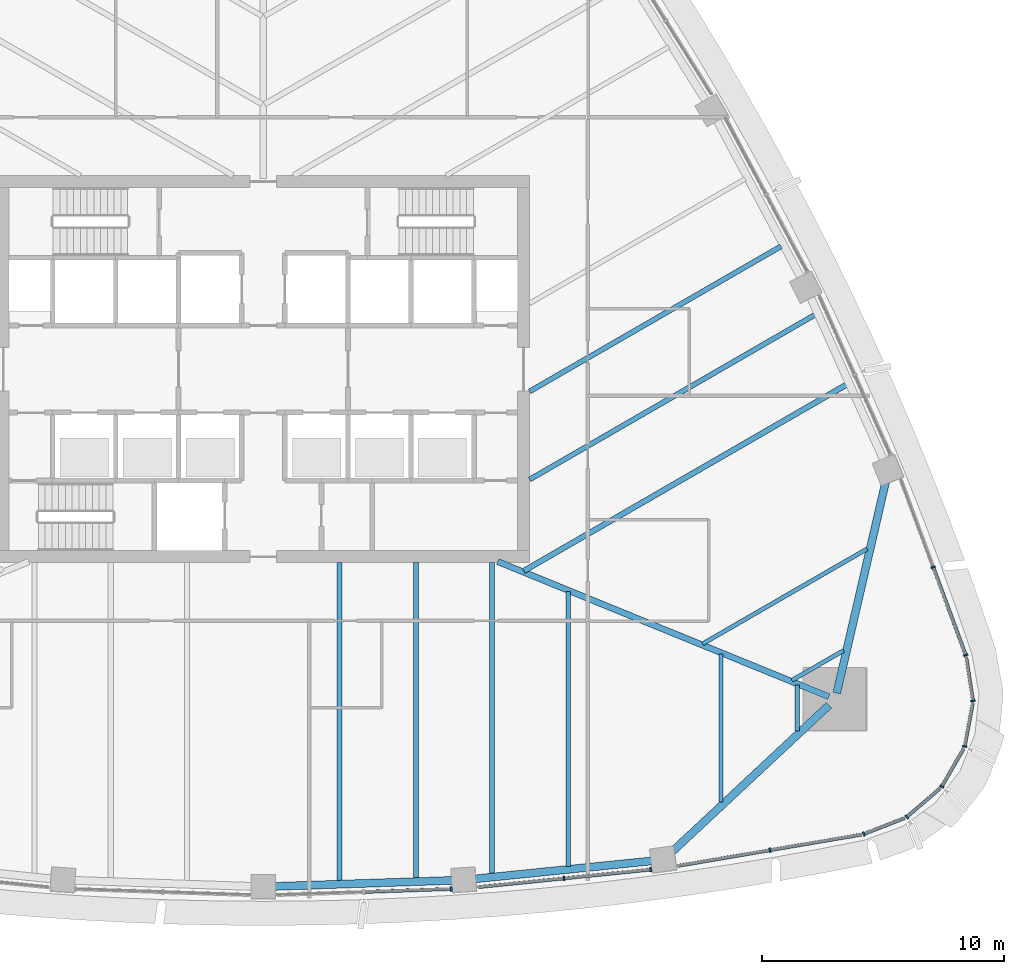
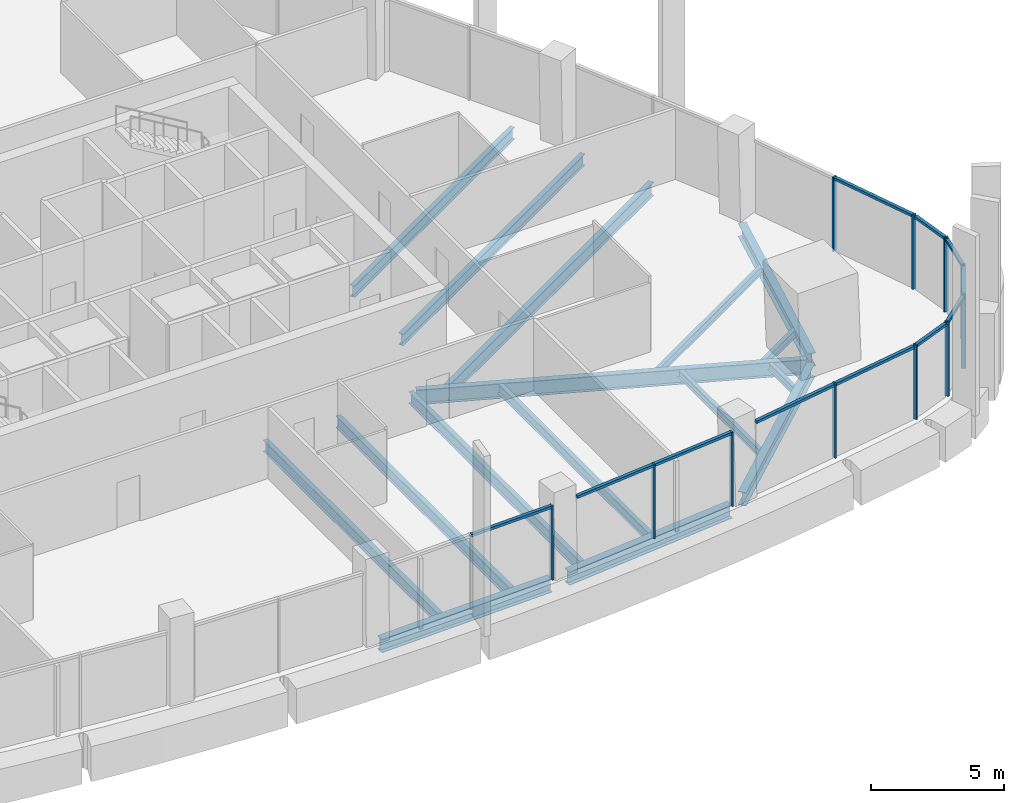
# One storey, part 4 of 19: 22 members, 16 beams, 9 elements without a shape of their own.
"""IFC4 building model written with IfcOpenShell, lengths in metres."""

from ifc_helpers import new_model, si_unit, direction, frame, origin, origin_2d, place, context, subcontext, project, spatial, rectangle, i_section, extrude, material, layer, layer_set, material_profile, profile_set, type_object, element, aggregate, save


model = new_model("IFC4")

# Units and contexts
model_context = context("Model", 3, precision=1e-05, world=origin(), true_north=direction((0.0, 1.0)))
body_context = subcontext(model_context, "Body", "Model", "MODEL_VIEW")
ifc_project = project(units=[si_unit("LENGTHUNIT", "METRE"), si_unit("AREAUNIT", "SQUARE_METRE"), si_unit("VOLUMEUNIT", "CUBIC_METRE"), si_unit("PLANEANGLEUNIT", "RADIAN"), si_unit("MASSUNIT", "GRAM", prefix="KILO")], contexts=[model_context])

# Site, building, storey
site_placement = place(None, origin())
site = spatial("IfcSite", under=ifc_project, at=site_placement, CompositionType="ELEMENT")
building_placement = place(site_placement, origin())
building = spatial("IfcBuilding", under=site, at=building_placement, Name="Sierra Prisma Convention Tower", CompositionType="ELEMENT")
storey_placement = place(building_placement, frame((0.0, 0.0, 177.800048828125)))
storey = spatial("IfcBuildingStorey", under=building, at=storey_placement, Name="L39", CompositionType="ELEMENT", Elevation=177.800048828125)

# Curtain wall, member
ifc_material_1 = material(Name="Aluminium and glass curtain wall", Category="aluminium")
ifc_layer = layer(ifc_material_1, 0.179931640625)
ifc_layer_set = layer_set([ifc_layer], Name="CW-1 Plain shaft curtain wall")
curtain_wall_type = type_object("IfcCurtainWallType", Name="CW-1 Plain shaft curtain wall", PredefinedType="NOTDEFINED", material=ifc_layer_set)
curtain_wall_1_placement = place(storey_placement, origin())
curtain_wall_1 = element("IfcCurtainWall", 1, at=curtain_wall_1_placement, inside=storey, type_object=curtain_wall_type, Name="CW-1 S4 L39", PredefinedType="NOTDEFINED")
ifc_material_2 = material(Name="Aluminium 6063-T6 bronze anodised", Category="aluminium")
ifc_material_profile_1 = material_profile(ifc_material_2, rectangle(XDim=0.179931640625, YDim=0.070068359375, at=origin_2d()), Name="ALU MULLION 70x180")
ifc_profile_set_1 = profile_set([ifc_material_profile_1], Name="Aluminium 6063-T6 bronze anodised")
member_type_1 = type_object("IfcMemberType", Name="CW mullion bronze", PredefinedType="MULLION", material=ifc_profile_set_1)
member_1_placement = place(storey_placement, frame((7.763427734375, -21.479248046875, 0.0), z_axis=(0.0, 0.0, 1.0), x_axis=(-0.033765856682, 0.999429770881, 0.0)))
member_1 = element("IfcMember", 2, at=member_1_placement, type_object=member_type_1, Name="CW-1 mullion S4.3", PredefinedType="MULLION", context=body_context, shape_type="SweptSolid", body=[
    extrude(rectangle(XDim=0.179931640625, YDim=0.070068359375, at=origin_2d()), origin(), (0.0, 0.0, 1.0), 3.39990234375),
])

# Curtain wall, members
curtain_wall_2_placement = place(storey_placement, origin())
curtain_wall_2 = element("IfcCurtainWall", 3, at=curtain_wall_2_placement, inside=storey, type_object=curtain_wall_type, Name="CW-1 S5 L39", PredefinedType="NOTDEFINED")
member_2_placement = place(storey_placement, frame((12.425048828125, -21.04248046875, 0.0), z_axis=(0.0, 0.0, 1.0), x_axis=(-0.101143579749, 0.994871839121, 0.0)))
member_2 = element("IfcMember", 4, at=member_2_placement, type_object=member_type_1, Name="CW-1 mullion S5.2", PredefinedType="MULLION", context=body_context, shape_type="SweptSolid", body=[
    extrude(rectangle(XDim=0.179931640625, YDim=0.070068359375, at=origin_2d()), origin(), (0.0, 0.0, 1.0), 3.39990234375),
])
member_3_placement = place(storey_placement, frame((16.007080078125, -20.67822265625, 0.0), z_axis=(0.0, 0.0, 1.0), x_axis=(-0.101143579749, 0.994871839121, 0.0)))
member_3 = element("IfcMember", 5, at=member_3_placement, type_object=member_type_1, Name="CW-1 mullion S5.3", PredefinedType="MULLION", context=body_context, shape_type="SweptSolid", body=[
    extrude(rectangle(XDim=0.179931640625, YDim=0.070068359375, at=origin_2d()), origin(), (0.0, 0.0, 1.0), 3.39990234375),
])

# Curtain wall, member
curtain_wall_3_placement = place(storey_placement, origin())
curtain_wall_3 = element("IfcCurtainWall", 6, at=curtain_wall_3_placement, inside=storey, type_object=curtain_wall_type, Name="CW-1 S6 L39", PredefinedType="NOTDEFINED")
member_4_placement = place(storey_placement, frame((20.9287109375, -19.87890625, 0.0), z_axis=(0.0, 0.0, 1.0), x_axis=(-0.16806003427, 0.985776762194, 0.0)))
member_4 = element("IfcMember", 7, at=member_4_placement, type_object=member_type_1, Name="CW-1 mullion S6.2", PredefinedType="MULLION", context=body_context, shape_type="SweptSolid", body=[
    extrude(rectangle(XDim=0.179931640625, YDim=0.070068359375, at=origin_2d()), origin(), (0.0, 0.0, 1.0), 3.39990234375),
])

curtain_wall_4_placement = place(storey_placement, origin())
curtain_wall_4 = element("IfcCurtainWall", 8, at=curtain_wall_4_placement, inside=storey, type_object=curtain_wall_type, Name="CW-1 SE1 L39", PredefinedType="NOTDEFINED")
member_5_placement = place(storey_placement, frame((24.8134765625, -19.20947265625, 0.0), z_axis=(0.0, 0.0, 1.0), x_axis=(-0.36305678373, 0.931767015829, 0.0)))
member_5 = element("IfcMember", 9, at=member_5_placement, type_object=member_type_1, Name="CW-1 mullion SE1.1", PredefinedType="MULLION", context=body_context, shape_type="SweptSolid", body=[
    extrude(rectangle(XDim=0.179931640625, YDim=0.070068359375, at=origin_2d()), origin(), (0.0, 0.0, 1.0), 3.39990234375),
])

curtain_wall_5_placement = place(storey_placement, origin())
curtain_wall_5 = element("IfcCurtainWall", 10, at=curtain_wall_5_placement, inside=storey, type_object=curtain_wall_type, Name="CW-1 SE2 L39", PredefinedType="NOTDEFINED")
member_6_placement = place(storey_placement, frame((26.5908203125, -18.50439453125, 0.0), z_axis=(0.0, 0.0, 1.0), x_axis=(-0.651357386468, 0.758771082141, 0.0)))
member_6 = element("IfcMember", 11, at=member_6_placement, type_object=member_type_1, Name="CW-1 mullion SE2.1", PredefinedType="MULLION", context=body_context, shape_type="SweptSolid", body=[
    extrude(rectangle(XDim=0.179931640625, YDim=0.070068359375, at=origin_2d()), origin(), (0.0, 0.0, 1.0), 3.39990234375),
])

curtain_wall_6_placement = place(storey_placement, origin())
curtain_wall_6 = element("IfcCurtainWall", 12, at=curtain_wall_6_placement, inside=storey, type_object=curtain_wall_type, Name="CW-1 SE3 L39", PredefinedType="NOTDEFINED")
member_7_placement = place(storey_placement, frame((28.033935546875, -17.250244140625, 0.0), z_axis=(0.0, 0.0, 1.0), x_axis=(-0.866025403784, 0.5, 0.0)))
member_7 = element("IfcMember", 13, at=member_7_placement, type_object=member_type_1, Name="CW-1 mullion SE3.1", PredefinedType="MULLION", context=body_context, shape_type="SweptSolid", body=[
    extrude(rectangle(XDim=0.179931640625, YDim=0.070068359375, at=origin_2d()), origin(), (0.0, 0.0, 1.0), 3.39990234375),
])

curtain_wall_7_placement = place(storey_placement, origin())
curtain_wall_7 = element("IfcCurtainWall", 14, at=curtain_wall_7_placement, inside=storey, type_object=curtain_wall_type, Name="CW-1 SE4 L39", PredefinedType="NOTDEFINED")
member_8_placement = place(storey_placement, frame((28.97998046875, -15.58837890625, 0.0), z_axis=(0.0, 0.0, 1.0), x_axis=(-0.982793726025, 0.184706502553, 0.0)))
member_8 = element("IfcMember", 15, at=member_8_placement, type_object=member_type_1, Name="CW-1 mullion SE4.1", PredefinedType="MULLION", context=body_context, shape_type="SweptSolid", body=[
    extrude(rectangle(XDim=0.179931640625, YDim=0.070068359375, at=origin_2d()), origin(), (0.0, 0.0, 1.0), 3.39990234375),
])

curtain_wall_8_placement = place(storey_placement, origin())
curtain_wall_8 = element("IfcCurtainWall", 16, at=curtain_wall_8_placement, inside=storey, type_object=curtain_wall_type, Name="CW-1 SE5 L39", PredefinedType="NOTDEFINED")
member_9_placement = place(storey_placement, frame((29.32177734375, -13.70703125, 0.0), z_axis=(0.0, 0.0, 1.0), x_axis=(-0.988462297982, -0.151467110188, 0.0)))
member_9 = element("IfcMember", 17, at=member_9_placement, type_object=member_type_1, Name="CW-1 mullion SE5.1", PredefinedType="MULLION", context=body_context, shape_type="SweptSolid", body=[
    extrude(rectangle(XDim=0.179931640625, YDim=0.070068359375, at=origin_2d()), origin(), (0.0, 0.0, 1.0), 3.39990234375),
])

# Curtain wall, members
curtain_wall_9_placement = place(storey_placement, origin())
curtain_wall_9 = element("IfcCurtainWall", 18, at=curtain_wall_9_placement, inside=storey, type_object=curtain_wall_type, Name="CW-1 NE1 L39", PredefinedType="NOTDEFINED")
member_10_placement = place(storey_placement, frame((29.025146484375, -11.81689453125, 0.0), z_axis=(0.0, 0.0, 1.0), x_axis=(-0.937737735655, -0.347344122058, 0.0)))
member_10 = element("IfcMember", 19, at=member_10_placement, type_object=member_type_1, Name="CW-1 mullion NE1.1", PredefinedType="MULLION", context=body_context, shape_type="SweptSolid", body=[
    extrude(rectangle(XDim=0.179931640625, YDim=0.070068359375, at=origin_2d()), origin(), (0.0, 0.0, 1.0), 3.39990234375),
])
member_11_placement = place(storey_placement, frame((27.679931640625, -8.185302734375, 0.0), z_axis=(0.0, 0.0, 1.0), x_axis=(-0.937737735655, -0.347344122058, 0.0)))
member_11 = element("IfcMember", 20, at=member_11_placement, type_object=member_type_1, Name="CW-1 mullion NE1.2", PredefinedType="MULLION", context=body_context, shape_type="SweptSolid", body=[
    extrude(rectangle(XDim=0.179931640625, YDim=0.070068359375, at=origin_2d()), origin(), (0.0, 0.0, 1.0), 3.39990234375),
])

# Member
ifc_material_3 = material(Name="Aluminium 6063-T6 bronze anodised", Category="aluminium")
ifc_material_profile_2 = material_profile(ifc_material_3, rectangle(XDim=0.139892578125, YDim=0.1201171875, at=origin_2d()), Name="ALU TRANSOM 120x140")
ifc_profile_set_2 = profile_set([ifc_material_profile_2], Name="Aluminium 6063-T6 bronze anodised")
member_type_2 = type_object("IfcMemberType", Name="CW transom bronze", PredefinedType="USERDEFINED", material=ifc_profile_set_2)
member_12_placement = place(storey_placement, frame((4.18408203125, -21.60009765625, 3.33984375), z_axis=(0.999428591047, 0.033800760312, 0.0), x_axis=(-0.033800760312, 0.999428591047, 0.0)))
member_12 = element("IfcMember", 21, at=member_12_placement, type_object=member_type_2, Name="CW-1 transom S4.2", ObjectType="TRANSOM", PredefinedType="USERDEFINED", context=body_context, shape_type="SweptSolid", body=[
    extrude(rectangle(XDim=0.139892578125, YDim=0.1201171875, at=origin_2d()), origin(), (0.0, 0.0, 1.0), 3.54638671875),
])

aggregate(curtain_wall_1, [member_1, member_12])

member_13_placement = place(storey_placement, frame((8.877685546875, -21.403076171875, 3.33984375), z_axis=(0.994869427128, 0.101167301862, 0.0), x_axis=(-0.101167301862, 0.994869427128, 0.0)))
member_13 = element("IfcMember", 22, at=member_13_placement, type_object=member_type_2, Name="CW-1 transom S5.1", ObjectType="TRANSOM", PredefinedType="USERDEFINED", context=body_context, shape_type="SweptSolid", body=[
    extrude(rectangle(XDim=0.139892578125, YDim=0.1201171875, at=origin_2d()), origin(), (0.0, 0.0, 1.0), 3.530517578125),
])

member_14_placement = place(storey_placement, frame((12.459716796875, -21.038818359375, 3.33984375), z_axis=(0.994869427128, 0.101167301862, 0.0), x_axis=(-0.101167301862, 0.994869427128, 0.0)))
member_14 = element("IfcMember", 23, at=member_14_placement, type_object=member_type_2, Name="CW-1 transom S5.2", ObjectType="TRANSOM", PredefinedType="USERDEFINED", context=body_context, shape_type="SweptSolid", body=[
    extrude(rectangle(XDim=0.139892578125, YDim=0.1201171875, at=origin_2d()), origin(), (0.0, 0.0, 1.0), 3.530517578125),
])

aggregate(curtain_wall_2, [member_2, member_3, member_13, member_14])

member_15_placement = place(storey_placement, frame((17.1455078125, -20.523681640625, 3.33984375), z_axis=(0.985783407887, 0.168021048485, 0.0), x_axis=(-0.168021048485, 0.985783407887, 0.0)))
member_15 = element("IfcMember", 24, at=member_15_placement, type_object=member_type_2, Name="CW-1 transom S6.1", ObjectType="TRANSOM", PredefinedType="USERDEFINED", context=body_context, shape_type="SweptSolid", body=[
    extrude(rectangle(XDim=0.139892578125, YDim=0.1201171875, at=origin_2d()), origin(), (0.0, 0.0, 1.0), 3.802490234375),
])

member_16_placement = place(storey_placement, frame((20.963134765625, -19.873046875, 3.33984375), z_axis=(0.985772771819, 0.168083438623, 0.0), x_axis=(-0.168083438623, 0.985772771819, 0.0)))
member_16 = element("IfcMember", 25, at=member_16_placement, type_object=member_type_2, Name="CW-1 transom S6.2", ObjectType="TRANSOM", PredefinedType="USERDEFINED", context=body_context, shape_type="SweptSolid", body=[
    extrude(rectangle(XDim=0.139892578125, YDim=0.1201171875, at=origin_2d()), origin(), (0.0, 0.0, 1.0), 3.802734375),
])

aggregate(curtain_wall_3, [member_4, member_15, member_16])

member_17_placement = place(storey_placement, frame((24.845947265625, -19.19677734375, 3.33984375), z_axis=(0.931733255929, 0.363143414916, 0.0), x_axis=(-0.363143414916, 0.931733255929, 0.0)))
member_17 = element("IfcMember", 26, at=member_17_placement, type_object=member_type_2, Name="CW-1 transom SE1.1", ObjectType="TRANSOM", PredefinedType="USERDEFINED", context=body_context, shape_type="SweptSolid", body=[
    extrude(rectangle(XDim=0.139892578125, YDim=0.1201171875, at=origin_2d()), origin(), (0.0, 0.0, 1.0), 1.774169921875),
])

aggregate(curtain_wall_4, [member_5, member_17])

member_18_placement = place(storey_placement, frame((26.617431640625, -18.481689453125, 3.33984375), z_axis=(0.758673456366, 0.651471094221, 0.0), x_axis=(-0.651471094221, 0.758673456366, 0.0)))
member_18 = element("IfcMember", 27, at=member_18_placement, type_object=member_type_2, Name="CW-1 transom SE2.1", ObjectType="TRANSOM", PredefinedType="USERDEFINED", context=body_context, shape_type="SweptSolid", body=[
    extrude(rectangle(XDim=0.139892578125, YDim=0.1201171875, at=origin_2d()), origin(), (0.0, 0.0, 1.0), 1.774169921875),
])

aggregate(curtain_wall_5, [member_6, member_18])

member_19_placement = place(storey_placement, frame((28.051513671875, -17.2197265625, 3.33984375), z_axis=(0.499972622635, 0.866041209536, 0.0), x_axis=(-0.866041209536, 0.499972622635, 0.0)))
member_19 = element("IfcMember", 28, at=member_19_placement, type_object=member_type_2, Name="CW-1 transom SE3.1", ObjectType="TRANSOM", PredefinedType="USERDEFINED", context=body_context, shape_type="SweptSolid", body=[
    extrude(rectangle(XDim=0.139892578125, YDim=0.1201171875, at=origin_2d()), origin(), (0.0, 0.0, 1.0), 1.77392578125),
])

aggregate(curtain_wall_6, [member_7, member_19])

member_20_placement = place(storey_placement, frame((28.986572265625, -15.553955078125, 3.33984375), z_axis=(0.184695687978, 0.982795758458, 0.0), x_axis=(-0.982795758458, 0.184695687978, 0.0)))
member_20 = element("IfcMember", 29, at=member_20_placement, type_object=member_type_2, Name="CW-1 transom SE4.1", ObjectType="TRANSOM", PredefinedType="USERDEFINED", context=body_context, shape_type="SweptSolid", body=[
    extrude(rectangle(XDim=0.139892578125, YDim=0.1201171875, at=origin_2d()), origin(), (0.0, 0.0, 1.0), 1.77392578125),
])

aggregate(curtain_wall_7, [member_8, member_20])

member_21_placement = place(storey_placement, frame((29.31640625, -13.672607421875, 3.33984375), z_axis=(-0.151374649581, 0.988476461765, 0.0), x_axis=(-0.988476461765, -0.151374649581, 0.0)))
member_21 = element("IfcMember", 30, at=member_21_placement, type_object=member_type_2, Name="CW-1 transom SE5.1", ObjectType="TRANSOM", PredefinedType="USERDEFINED", context=body_context, shape_type="SweptSolid", body=[
    extrude(rectangle(XDim=0.139892578125, YDim=0.1201171875, at=origin_2d()), origin(), (0.0, 0.0, 1.0), 1.774169921875),
])

aggregate(curtain_wall_8, [member_9, member_21])

member_22_placement = place(storey_placement, frame((29.012939453125, -11.7841796875, 3.33984375), z_axis=(-0.347314355824, 0.937748760724, 0.0), x_axis=(-0.937748760724, -0.347314355824, 0.0)))
member_22 = element("IfcMember", 31, at=member_22_placement, type_object=member_type_2, Name="CW-1 transom NE1.1", ObjectType="TRANSOM", PredefinedType="USERDEFINED", context=body_context, shape_type="SweptSolid", body=[
    extrude(rectangle(XDim=0.139892578125, YDim=0.1201171875, at=origin_2d()), origin(), (0.0, 0.0, 1.0), 3.802978515625),
])

aggregate(curtain_wall_9, [member_10, member_11, member_22])

# Beams
ifc_material_4 = material(Name="Steel ASTM A992 Gr 50", Category="steel")
ifc_material_profile_3 = material_profile(ifc_material_4, i_section(OverallWidth=0.172119140625, OverallDepth=0.35791015625, WebThickness=0.0078125, FlangeThickness=0.01318359375, at=origin_2d()), Name="W360x57")
ifc_profile_set_3 = profile_set([ifc_material_profile_3], Name="Steel ASTM A992 Gr 50")
beam_type_1 = type_object("IfcBeamType", Name="Floor joist W360x57", PredefinedType="JOIST", material=ifc_profile_set_3)
beam_1_placement = place(storey_placement, frame((18.907958984375, -17.886474609375, -0.3291015625), z_axis=(0.0, 1.0, 0.0), x_axis=(-1.0, 0.0, 0.0)))
element("IfcBeam", 32, at=beam_1_placement, inside=storey, type_object=beam_type_1, Name="Floor joist L39 S14", PredefinedType="JOIST", context=body_context, shape_type="SweptSolid", body=[
    extrude(i_section(OverallWidth=0.172119140625, OverallDepth=0.35791015625, WebThickness=0.0078125, FlangeThickness=0.01318359375, at=origin_2d()), origin(), (0.0, 0.0, 1.0), 6.11474609375),
])
beam_2_placement = place(storey_placement, frame((22.059326171875, -14.9443359375, -0.3291015625), z_axis=(0.0, 1.0, 0.0), x_axis=(-1.0, 0.0, 0.0)))
element("IfcBeam", 33, at=beam_2_placement, inside=storey, type_object=beam_type_1, Name="Floor joist L39 S15", PredefinedType="JOIST", context=body_context, shape_type="SweptSolid", body=[
    extrude(i_section(OverallWidth=0.172119140625, OverallDepth=0.35791015625, WebThickness=0.0078125, FlangeThickness=0.01318359375, at=origin_2d()), origin(), (0.0, 0.0, 1.0), 1.88671875),
])
beam_3_placement = place(storey_placement, frame((23.971923828125, -11.6318359375, -0.3291015625), z_axis=(-0.866026705384, -0.499997745557, 0.0), x_axis=(0.499997745557, -0.866026705384, 0.0)))
element("IfcBeam", 34, at=beam_3_placement, inside=storey, type_object=beam_type_1, Name="Floor joist L39 NE01", PredefinedType="JOIST", context=body_context, shape_type="SweptSolid", body=[
    extrude(i_section(OverallWidth=0.172119140625, OverallDepth=0.35791015625, WebThickness=0.0078125, FlangeThickness=0.01318359375, at=origin_2d()), origin(), (0.0, 0.0, 1.0), 2.45654296875),
])
beam_4_placement = place(storey_placement, frame((24.944091796875, -7.431640625, -0.3291015625), z_axis=(-0.866025932, -0.499999085102, 0.0), x_axis=(0.499999085102, -0.866025932, 0.0)))
element("IfcBeam", 35, at=beam_4_placement, inside=storey, type_object=beam_type_1, Name="Floor joist L39 NE02", PredefinedType="JOIST", context=body_context, shape_type="SweptSolid", body=[
    extrude(i_section(OverallWidth=0.172119140625, OverallDepth=0.35791015625, WebThickness=0.0078125, FlangeThickness=0.01318359375, at=origin_2d()), origin(), (0.0, 0.0, 1.0), 7.84326171875),
])
ifc_material_5 = material(Name="Steel ASTM A992 Gr 50", Category="steel")
ifc_material_profile_4 = material_profile(ifc_material_5, i_section(OverallWidth=0.18994140625, OverallDepth=0.45703125, WebThickness=0.009033203125, FlangeThickness=0.014404296875, at=origin_2d()), Name="W460x74")
ifc_profile_set_4 = profile_set([ifc_material_profile_4], Name="Steel ASTM A992 Gr 50")
beam_type_2 = type_object("IfcBeamType", Name="Floor joist W460x74", PredefinedType="JOIST", material=ifc_profile_set_4)
beam_5_placement = place(storey_placement, frame((12.60546875, -20.55908203125, -0.378662109375), z_axis=(0.0, 1.0, 0.0), x_axis=(-1.0, 0.0, 0.0)))
element("IfcBeam", 36, at=beam_5_placement, inside=storey, type_object=beam_type_2, Name="Floor joist L39 S12", PredefinedType="JOIST", context=body_context, shape_type="SweptSolid", body=[
    extrude(i_section(OverallWidth=0.18994140625, OverallDepth=0.45703125, WebThickness=0.009033203125, FlangeThickness=0.014404296875, at=origin_2d()), origin(), (0.0, 0.0, 1.0), 11.359375),
])
ifc_material_6 = material(Name="Steel ASTM A992 Gr 50", Category="steel")
ifc_material_profile_5 = material_profile(ifc_material_6, i_section(OverallWidth=0.208984375, OverallDepth=0.532958984375, WebThickness=0.01025390625, FlangeThickness=0.015625, at=origin_2d()), Name="W530x92")
ifc_profile_set_5 = profile_set([ifc_material_profile_5], Name="Steel ASTM A992 Gr 50")
beam_type_3 = type_object("IfcBeamType", Name="Floor joist W530x92", PredefinedType="JOIST", material=ifc_profile_set_5)
beam_6_placement = place(storey_placement, frame((3.1513671875, -21.17236328125, -0.41650390625), z_axis=(0.0, 1.0, 0.0), x_axis=(-1.0, 0.0, 0.0)))
element("IfcBeam", 37, at=beam_6_placement, inside=storey, type_object=beam_type_3, Name="Floor joist L39 S09", PredefinedType="JOIST", context=body_context, shape_type="SweptSolid", body=[
    extrude(i_section(OverallWidth=0.208984375, OverallDepth=0.532958984375, WebThickness=0.01025390625, FlangeThickness=0.015625, at=origin_2d()), origin(), (0.0, 0.0, 1.0), 13.17236328125),
])
beam_7_placement = place(storey_placement, frame((6.302734375, -21.06591796875, -0.41650390625), z_axis=(0.0, 1.0, 0.0), x_axis=(-1.0, 0.0, 0.0)))
element("IfcBeam", 38, at=beam_7_placement, inside=storey, type_object=beam_type_3, Name="Floor joist L39 S10", PredefinedType="JOIST", context=body_context, shape_type="SweptSolid", body=[
    extrude(i_section(OverallWidth=0.208984375, OverallDepth=0.532958984375, WebThickness=0.01025390625, FlangeThickness=0.015625, at=origin_2d()), origin(), (0.0, 0.0, 1.0), 13.06591796875),
])
beam_8_placement = place(storey_placement, frame((9.4541015625, -20.87939453125, -0.41650390625), z_axis=(0.0, 1.0, 0.0), x_axis=(-1.0, 0.0, 0.0)))
element("IfcBeam", 39, at=beam_8_placement, inside=storey, type_object=beam_type_3, Name="Floor joist L39 S11", PredefinedType="JOIST", context=body_context, shape_type="SweptSolid", body=[
    extrude(i_section(OverallWidth=0.208984375, OverallDepth=0.532958984375, WebThickness=0.01025390625, FlangeThickness=0.015625, at=origin_2d()), origin(), (0.0, 0.0, 1.0), 12.87939453125),
])
beam_9_placement = place(storey_placement, frame((22.80908203125, 2.252197265625, -0.41650390625), z_axis=(-0.866028756998, -0.499994192018, 0.0), x_axis=(0.499994192018, -0.866028756998, 0.0)))
element("IfcBeam", 40, at=beam_9_placement, inside=storey, type_object=beam_type_3, Name="Floor joist L39 NE05", PredefinedType="JOIST", context=body_context, shape_type="SweptSolid", body=[
    extrude(i_section(OverallWidth=0.208984375, OverallDepth=0.532958984375, WebThickness=0.01025390625, FlangeThickness=0.015625, at=origin_2d()), origin(), (0.0, 0.0, 1.0), 13.635986328125),
])
beam_10_placement = place(storey_placement, frame((21.39501953125, 5.07470703125, -0.41650390625), z_axis=(-0.86602910077, -0.499993596579, 0.0), x_axis=(0.499993596579, -0.86602910077, 0.0)))
element("IfcBeam", 41, at=beam_10_placement, inside=storey, type_object=beam_type_3, Name="Floor joist L39 NE06", PredefinedType="JOIST", context=body_context, shape_type="SweptSolid", body=[
    extrude(i_section(OverallWidth=0.208984375, OverallDepth=0.532958984375, WebThickness=0.01025390625, FlangeThickness=0.015625, at=origin_2d()), origin(), (0.0, 0.0, 1.0), 12.003173828125),
])
ifc_material_7 = material(Name="Steel ASTM A992 Gr 50", Category="steel")
ifc_material_profile_6 = material_profile(ifc_material_7, i_section(OverallWidth=0.22802734375, OverallDepth=0.60302734375, WebThickness=0.010498046875, FlangeThickness=0.014892578125, at=origin_2d()), Name="W610x101")
ifc_profile_set_6 = profile_set([ifc_material_profile_6], Name="Steel ASTM A992 Gr 50")
beam_type_4 = type_object("IfcBeamType", Name="Floor joist W610x101", PredefinedType="JOIST", material=ifc_profile_set_6)
beam_11_placement = place(storey_placement, frame((24.107421875, -0.636962890625, -0.45166015625), z_axis=(-0.866027499993, -0.499996369243, 0.0), x_axis=(0.499996369243, -0.866027499993, 0.0)))
element("IfcBeam", 42, at=beam_11_placement, inside=storey, type_object=beam_type_4, Name="Floor joist L39 NE04", PredefinedType="JOIST", context=body_context, shape_type="SweptSolid", body=[
    extrude(i_section(OverallWidth=0.22802734375, OverallDepth=0.60302734375, WebThickness=0.010498046875, FlangeThickness=0.014892578125, at=origin_2d()), origin(), (0.0, 0.0, 1.0), 15.40478515625),
])
ifc_material_8 = material(Name="Steel ASTM A992 Gr 50", Category="steel")
ifc_material_profile_7 = material_profile(ifc_material_8, i_section(OverallWidth=0.25390625, OverallDepth=0.68408203125, WebThickness=0.012451171875, FlangeThickness=0.018798828125, at=origin_2d()), Name="W690x140")
ifc_profile_set_7 = profile_set([ifc_material_profile_7], Name="Steel ASTM A992 Gr 50")
beam_type_5 = type_object("IfcBeamType", Name="Radial girder W690x140", PredefinedType="BEAM", material=ifc_profile_set_7)
beam_12_placement = place(storey_placement, frame((23.375, -13.53955078125, -0.491943359375), z_axis=(-0.925875473149, 0.377828808087, 0.0), x_axis=(-0.377828808087, -0.925875473149, 0.0)))
element("IfcBeam", 43, at=beam_12_placement, inside=storey, type_object=beam_type_5, Name="Radial girder L39 SE", PredefinedType="BEAM", context=body_context, shape_type="SweptSolid", body=[
    extrude(i_section(OverallWidth=0.25390625, OverallDepth=0.68408203125, WebThickness=0.012451171875, FlangeThickness=0.018798828125, at=origin_2d()), origin(), (0.0, 0.0, 1.0), 14.78173828125),
])
ifc_material_9 = material(Name="Steel ASTM A992 Gr 50", Category="steel")
ifc_material_profile_8 = material_profile(ifc_material_9, i_section(OverallWidth=0.324951171875, OverallDepth=0.615966796875, WebThickness=0.013916015625, FlangeThickness=0.021484375, at=origin_2d()), Name="W610x174")
ifc_profile_set_8 = profile_set([ifc_material_profile_8], Name="Steel ASTM A992 Gr 50")
beam_type_6 = type_object("IfcBeamType", Name="Spandrel beam W610x174", PredefinedType="BEAM", material=ifc_profile_set_8)
beam_13_placement = place(storey_placement, frame((0.380126953125, -21.378662109375, -0.4580078125), z_axis=(0.999429328072, 0.033778960748, 0.0), x_axis=(-0.033778960748, 0.999429328072, 0.0)))
element("IfcBeam", 44, at=beam_13_placement, inside=storey, type_object=beam_type_6, Name="Spandrel L39-04", PredefinedType="BEAM", context=body_context, shape_type="SweptSolid", body=[
    extrude(i_section(OverallWidth=0.324951171875, OverallDepth=0.615966796875, WebThickness=0.013916015625, FlangeThickness=0.021484375, at=origin_2d()), origin(), (0.0, 0.0, 1.0), 7.53125),
])
beam_14_placement = place(storey_placement, frame((8.66552734375, -21.072998046875, -0.4580078125), z_axis=(0.994871823319, 0.101143735174, 0.0), x_axis=(-0.101143735174, 0.994871823319, 0.0)))
element("IfcBeam", 45, at=beam_14_placement, inside=storey, type_object=beam_type_6, Name="Spandrel L39-05", PredefinedType="BEAM", context=body_context, shape_type="SweptSolid", body=[
    extrude(i_section(OverallWidth=0.324951171875, OverallDepth=0.615966796875, WebThickness=0.013916015625, FlangeThickness=0.021484375, at=origin_2d()), origin(), (0.0, 0.0, 1.0), 7.531005859375),
])
beam_15_placement = place(storey_placement, frame((16.896484375, -19.936767578125, -0.4580078125), z_axis=(0.730958163158, 0.682422276683, 0.0), x_axis=(-0.682422276683, 0.730958163158, 0.0)))
element("IfcBeam", 46, at=beam_15_placement, inside=storey, type_object=beam_type_6, Name="Spandrel L39-06", PredefinedType="BEAM", context=body_context, shape_type="SweptSolid", body=[
    extrude(i_section(OverallWidth=0.324951171875, OverallDepth=0.615966796875, WebThickness=0.013916015625, FlangeThickness=0.021484375, at=origin_2d()), origin(), (0.0, 0.0, 1.0), 8.863037109375),
])
beam_16_placement = place(storey_placement, frame((23.6953125, -13.3857421875, -0.4580078125), z_axis=(0.225492866117, 0.974244818991, 0.0), x_axis=(-0.974244818991, 0.225492866117, 0.0)))
element("IfcBeam", 47, at=beam_16_placement, inside=storey, type_object=beam_type_6, Name="Spandrel L39-07", PredefinedType="BEAM", context=body_context, shape_type="SweptSolid", body=[
    extrude(i_section(OverallWidth=0.324951171875, OverallDepth=0.615966796875, WebThickness=0.013916015625, FlangeThickness=0.021484375, at=origin_2d()), origin(), (0.0, 0.0, 1.0), 8.95166015625),
])

save(model, "model.ifc")
